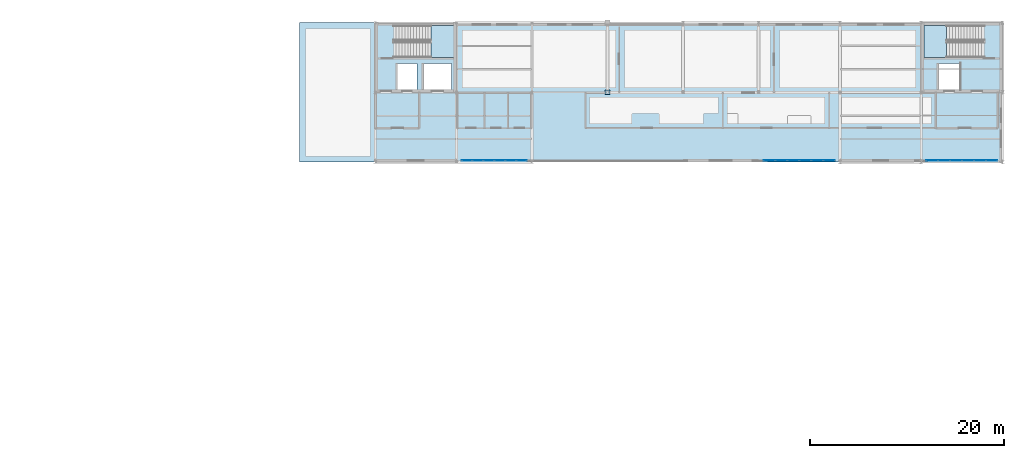
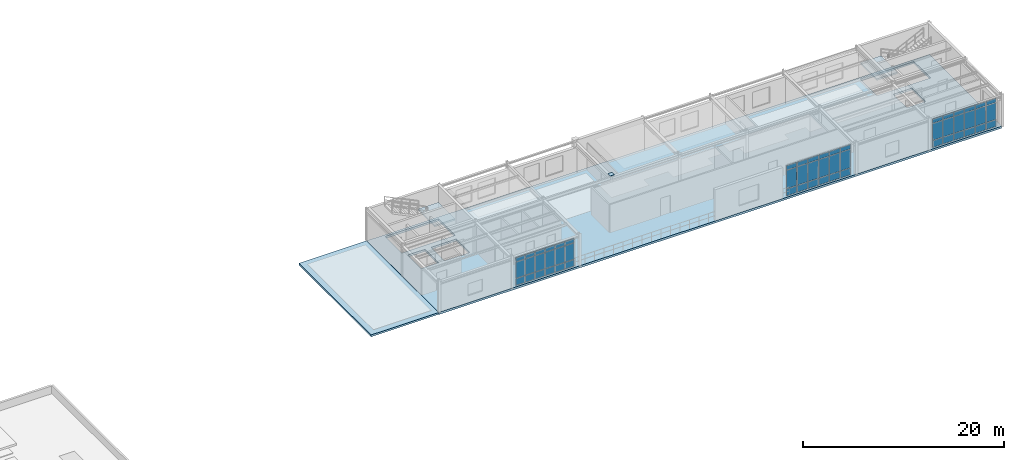
# One storey, part 10 of 20: 55 plates, 4 slabs, 5 elements without a shape of their own.
"""IFC4 building model written with IfcOpenShell, lengths in metres."""

from ifc_helpers import new_model, si_unit, derived_unit, direction, frame, origin, origin_2d, place, context, subcontext, project, spatial, polyline, rectangle, outline, extrude, material, layer, layer_set, type_object, element, aggregate, save


model = new_model("IFC4")

# Units and contexts
model_context = context("Model", 3, precision=1e-05, world=origin(), true_north=direction((0.0, 1.0)))
body_context = subcontext(model_context, "Body", "Model", "MODEL_VIEW")
ifc_project = project(units=[si_unit("LENGTHUNIT", "METRE"), si_unit("AREAUNIT", "SQUARE_METRE"), si_unit("VOLUMEUNIT", "CUBIC_METRE"), si_unit("PLANEANGLEUNIT", "RADIAN"), si_unit("MASSUNIT", "GRAM", prefix="KILO"), derived_unit("THERMALTRANSMITTANCEUNIT", [(si_unit("POWERUNIT", "WATT"), 1), (si_unit("AREAUNIT", "SQUARE_METRE"), -1), (si_unit("THERMODYNAMICTEMPERATUREUNIT", "KELVIN"), -1)])], contexts=[model_context])

# Site, building, storey
site_placement = place(None, origin())
site = spatial("IfcSite", under=ifc_project, at=site_placement, CompositionType="ELEMENT")
building_placement = place(site_placement, origin())
building = spatial("IfcBuilding", under=site, at=building_placement, Name="Yasenodar Specialist Clinic", CompositionType="ELEMENT")
storey_placement = place(building_placement, frame((0.0, 0.0, 25.35009765625)))
storey = spatial("IfcBuildingStorey", under=building, at=storey_placement, Name="L06", CompositionType="ELEMENT", Elevation=25.35009765625)

# Curtain wall, plates
ifc_material_1 = material(Name="Bronze Anodized Aluminium and Triple Low-E Glass", Category="aluminium")
ifc_layer_1 = layer(ifc_material_1, 0.215087890625)
ifc_layer_set_1 = layer_set([ifc_layer_1], Name="Bronze Anodized Aluminium and Triple Low-E Glass")
curtain_wall_type = type_object("IfcCurtainWallType", Name="CW-SYS-05", PredefinedType="USERDEFINED", material=ifc_layer_set_1)
curtain_wall_1_placement = place(storey_placement, origin())
curtain_wall_1 = element("IfcCurtainWall", 1, at=curtain_wall_1_placement, inside=storey, type_object=curtain_wall_type, Name="L06 Unitised Curtain Wall 168", ObjectType="UNITISED CURTAIN WALL", PredefinedType="USERDEFINED")
ifc_material_2 = material(Name="Triple Low-E Argon Glazing", Category="glass")
ifc_layer_2 = layer(ifc_material_2, 0.028076171875)
ifc_layer_set_2 = layer_set([ifc_layer_2], Name="Triple Low-E Argon Glazing")
plate_type_1 = type_object("IfcPlateType", Name="CW-PAN-1", PredefinedType="CURTAIN_PANEL", material=ifc_layer_set_2)
plate_1_placement = place(storey_placement, frame((120.68505859375, 97.3701171875, 0.059814453125), z_axis=(0.0, 0.0, 1.0), x_axis=(-1.0, 0.0, 0.0)))
plate_1 = element("IfcPlate", 2, at=plate_1_placement, type_object=plate_type_1, Name="CW-05 panel 1.1", PredefinedType="CURTAIN_PANEL", context=body_context, shape_type="SweptSolid", body=[
    extrude(rectangle(XDim=1.14990234375, YDim=0.028076171875, at=origin_2d()), origin(), (0.0, 0.0, 1.0), 0.81005859375),
])
plate_2_placement = place(storey_placement, frame((120.68505859375, 97.3701171875, 0.929931640625), z_axis=(0.0, 0.0, 1.0), x_axis=(-1.0, 0.0, 0.0)))
plate_2 = element("IfcPlate", 3, at=plate_2_placement, type_object=plate_type_1, Name="CW-05 panel 1.2", PredefinedType="CURTAIN_PANEL", context=body_context, shape_type="SweptSolid", body=[
    extrude(rectangle(XDim=1.14990234375, YDim=0.028076171875, at=origin_2d()), origin(), (0.0, 0.0, 1.0), 2.01806640625),
])
plate_3_placement = place(storey_placement, frame((120.68505859375, 97.3701171875, 3.0078125), z_axis=(0.0, 0.0, 1.0), x_axis=(-1.0, 0.0, 0.0)))
plate_3 = element("IfcPlate", 4, at=plate_3_placement, type_object=plate_type_1, Name="CW-05 panel 1.3", PredefinedType="CURTAIN_PANEL", context=body_context, shape_type="SweptSolid", body=[
    extrude(rectangle(XDim=1.14990234375, YDim=0.028076171875, at=origin_2d()), origin(), (0.0, 0.0, 1.0), 0.510009765625),
])
plate_4_placement = place(storey_placement, frame((119.4599609375, 97.3701171875, 0.059814453125), z_axis=(0.0, 0.0, 1.0), x_axis=(-1.0, 0.0, 0.0)))
plate_4 = element("IfcPlate", 5, at=plate_4_placement, type_object=plate_type_1, Name="CW-05 panel 2.1", PredefinedType="CURTAIN_PANEL", context=body_context, shape_type="SweptSolid", body=[
    extrude(rectangle(XDim=1.179931640625, YDim=0.028076171875, at=origin_2d()), origin(), (0.0, 0.0, 1.0), 0.81005859375),
])
plate_5_placement = place(storey_placement, frame((119.4599609375, 97.3701171875, 0.929931640625), z_axis=(0.0, 0.0, 1.0), x_axis=(-1.0, 0.0, 0.0)))
plate_5 = element("IfcPlate", 6, at=plate_5_placement, type_object=plate_type_1, Name="CW-05 panel 2.2", PredefinedType="CURTAIN_PANEL", context=body_context, shape_type="SweptSolid", body=[
    extrude(rectangle(XDim=1.179931640625, YDim=0.028076171875, at=origin_2d()), origin(), (0.0, 0.0, 1.0), 2.01806640625),
])
plate_6_placement = place(storey_placement, frame((119.4599609375, 97.3701171875, 3.0078125), z_axis=(0.0, 0.0, 1.0), x_axis=(-1.0, 0.0, 0.0)))
plate_6 = element("IfcPlate", 7, at=plate_6_placement, type_object=plate_type_1, Name="CW-05 panel 2.3", PredefinedType="CURTAIN_PANEL", context=body_context, shape_type="SweptSolid", body=[
    extrude(rectangle(XDim=1.179931640625, YDim=0.028076171875, at=origin_2d()), origin(), (0.0, 0.0, 1.0), 0.510009765625),
])
plate_7_placement = place(storey_placement, frame((118.219970703125, 97.3701171875, 0.059814453125), z_axis=(0.0, 0.0, 1.0), x_axis=(-1.0, 0.0, 0.0)))
plate_7 = element("IfcPlate", 8, at=plate_7_placement, type_object=plate_type_1, Name="CW-05 panel 3.1", PredefinedType="CURTAIN_PANEL", context=body_context, shape_type="SweptSolid", body=[
    extrude(rectangle(XDim=1.179931640625, YDim=0.028076171875, at=origin_2d()), origin(), (0.0, 0.0, 1.0), 0.81005859375),
])
plate_8_placement = place(storey_placement, frame((118.219970703125, 97.3701171875, 0.929931640625), z_axis=(0.0, 0.0, 1.0), x_axis=(-1.0, 0.0, 0.0)))
plate_8 = element("IfcPlate", 9, at=plate_8_placement, type_object=plate_type_1, Name="CW-05 panel 3.2", PredefinedType="CURTAIN_PANEL", context=body_context, shape_type="SweptSolid", body=[
    extrude(rectangle(XDim=1.179931640625, YDim=0.028076171875, at=origin_2d()), origin(), (0.0, 0.0, 1.0), 2.01806640625),
])
plate_9_placement = place(storey_placement, frame((118.219970703125, 97.3701171875, 3.0078125), z_axis=(0.0, 0.0, 1.0), x_axis=(-1.0, 0.0, 0.0)))
plate_9 = element("IfcPlate", 10, at=plate_9_placement, type_object=plate_type_1, Name="CW-05 panel 3.3", PredefinedType="CURTAIN_PANEL", context=body_context, shape_type="SweptSolid", body=[
    extrude(rectangle(XDim=1.179931640625, YDim=0.028076171875, at=origin_2d()), origin(), (0.0, 0.0, 1.0), 0.510009765625),
])
plate_10_placement = place(storey_placement, frame((116.97998046875, 97.3701171875, 0.059814453125), z_axis=(0.0, 0.0, 1.0), x_axis=(-1.0, 0.0, 0.0)))
plate_10 = element("IfcPlate", 11, at=plate_10_placement, type_object=plate_type_1, Name="CW-05 panel 4.1", PredefinedType="CURTAIN_PANEL", context=body_context, shape_type="SweptSolid", body=[
    extrude(rectangle(XDim=1.179931640625, YDim=0.028076171875, at=origin_2d()), origin(), (0.0, 0.0, 1.0), 0.81005859375),
])
plate_11_placement = place(storey_placement, frame((116.97998046875, 97.3701171875, 0.929931640625), z_axis=(0.0, 0.0, 1.0), x_axis=(-1.0, 0.0, 0.0)))
plate_11 = element("IfcPlate", 12, at=plate_11_placement, type_object=plate_type_1, Name="CW-05 panel 4.2", PredefinedType="CURTAIN_PANEL", context=body_context, shape_type="SweptSolid", body=[
    extrude(rectangle(XDim=1.179931640625, YDim=0.028076171875, at=origin_2d()), origin(), (0.0, 0.0, 1.0), 2.01806640625),
])
plate_12_placement = place(storey_placement, frame((116.97998046875, 97.3701171875, 3.0078125), z_axis=(0.0, 0.0, 1.0), x_axis=(-1.0, 0.0, 0.0)))
plate_12 = element("IfcPlate", 13, at=plate_12_placement, type_object=plate_type_1, Name="CW-05 panel 4.3", PredefinedType="CURTAIN_PANEL", context=body_context, shape_type="SweptSolid", body=[
    extrude(rectangle(XDim=1.179931640625, YDim=0.028076171875, at=origin_2d()), origin(), (0.0, 0.0, 1.0), 0.510009765625),
])
plate_13_placement = place(storey_placement, frame((115.739990234375, 97.3701171875, 0.059814453125), z_axis=(0.0, 0.0, 1.0), x_axis=(-1.0, 0.0, 0.0)))
plate_13 = element("IfcPlate", 14, at=plate_13_placement, type_object=plate_type_1, Name="CW-05 panel 5.1", PredefinedType="CURTAIN_PANEL", context=body_context, shape_type="SweptSolid", body=[
    extrude(rectangle(XDim=1.179931640625, YDim=0.028076171875, at=origin_2d()), origin(), (0.0, 0.0, 1.0), 0.81005859375),
])
plate_14_placement = place(storey_placement, frame((115.739990234375, 97.3701171875, 0.929931640625), z_axis=(0.0, 0.0, 1.0), x_axis=(-1.0, 0.0, 0.0)))
plate_14 = element("IfcPlate", 15, at=plate_14_placement, type_object=plate_type_1, Name="CW-05 panel 5.2", PredefinedType="CURTAIN_PANEL", context=body_context, shape_type="SweptSolid", body=[
    extrude(rectangle(XDim=1.179931640625, YDim=0.028076171875, at=origin_2d()), origin(), (0.0, 0.0, 1.0), 2.01806640625),
])
plate_15_placement = place(storey_placement, frame((115.739990234375, 97.3701171875, 3.0078125), z_axis=(0.0, 0.0, 1.0), x_axis=(-1.0, 0.0, 0.0)))
plate_15 = element("IfcPlate", 16, at=plate_15_placement, type_object=plate_type_1, Name="CW-05 panel 5.3", PredefinedType="CURTAIN_PANEL", context=body_context, shape_type="SweptSolid", body=[
    extrude(rectangle(XDim=1.179931640625, YDim=0.028076171875, at=origin_2d()), origin(), (0.0, 0.0, 1.0), 0.510009765625),
])
plate_16_placement = place(storey_placement, frame((114.514892578125, 97.3701171875, 0.059814453125), z_axis=(0.0, 0.0, 1.0), x_axis=(-1.0, 0.0, 0.0)))
plate_16 = element("IfcPlate", 17, at=plate_16_placement, type_object=plate_type_1, Name="CW-05 panel 6.1", PredefinedType="CURTAIN_PANEL", context=body_context, shape_type="SweptSolid", body=[
    extrude(rectangle(XDim=1.14990234375, YDim=0.028076171875, at=origin_2d()), origin(), (0.0, 0.0, 1.0), 0.81005859375),
])
plate_17_placement = place(storey_placement, frame((114.514892578125, 97.3701171875, 0.929931640625), z_axis=(0.0, 0.0, 1.0), x_axis=(-1.0, 0.0, 0.0)))
plate_17 = element("IfcPlate", 18, at=plate_17_placement, type_object=plate_type_1, Name="CW-05 panel 6.2", PredefinedType="CURTAIN_PANEL", context=body_context, shape_type="SweptSolid", body=[
    extrude(rectangle(XDim=1.14990234375, YDim=0.028076171875, at=origin_2d()), origin(), (0.0, 0.0, 1.0), 2.01806640625),
])
plate_18_placement = place(storey_placement, frame((114.514892578125, 97.3701171875, 3.0078125), z_axis=(0.0, 0.0, 1.0), x_axis=(-1.0, 0.0, 0.0)))
plate_18 = element("IfcPlate", 19, at=plate_18_placement, type_object=plate_type_1, Name="CW-05 panel 6.3", PredefinedType="CURTAIN_PANEL", context=body_context, shape_type="SweptSolid", body=[
    extrude(rectangle(XDim=1.14990234375, YDim=0.028076171875, at=origin_2d()), origin(), (0.0, 0.0, 1.0), 0.510009765625),
])
aggregate(curtain_wall_1, [plate_1, plate_2, plate_3, plate_4, plate_5, plate_6, plate_7, plate_8, plate_9, plate_10, plate_11, plate_12, plate_13, plate_14, plate_15, plate_16, plate_17, plate_18])

curtain_wall_2_placement = place(storey_placement, origin())
curtain_wall_2 = element("IfcCurtainWall", 20, at=curtain_wall_2_placement, inside=storey, type_object=curtain_wall_type, Name="L06 Unitised Curtain Wall 169", ObjectType="UNITISED CURTAIN WALL", PredefinedType="USERDEFINED")
ifc_layer_3 = layer(ifc_material_2, 0.033935546875)
ifc_layer_set_3 = layer_set([ifc_layer_3], Name="Triple Low-E Argon Glazing")
plate_type_2 = type_object("IfcPlateType", Name="CW-PAN-2", PredefinedType="CURTAIN_PANEL", material=ifc_layer_set_3)
plate_19_placement = place(storey_placement, frame((103.885009765625, 97.3701171875, 0.059814453125), z_axis=(0.0, 0.0, 1.0), x_axis=(-1.0, 0.0, 0.0)))
plate_19 = element("IfcPlate", 21, at=plate_19_placement, type_object=plate_type_2, Name="CW-05 panel 1.1", PredefinedType="CURTAIN_PANEL", context=body_context, shape_type="SweptSolid", body=[
    extrude(rectangle(XDim=1.14990234375, YDim=0.033935546875, at=origin_2d()), origin(), (0.0, 0.0, 1.0), 0.81005859375),
])
plate_20_placement = place(storey_placement, frame((103.885009765625, 97.3701171875, 0.9296875), z_axis=(0.0, 0.0, 1.0), x_axis=(-1.0, 0.0, 0.0)))
plate_20 = element("IfcPlate", 22, at=plate_20_placement, type_object=plate_type_2, Name="CW-05 panel 1.2", PredefinedType="CURTAIN_PANEL", context=body_context, shape_type="SweptSolid", body=[
    extrude(rectangle(XDim=1.14990234375, YDim=0.033935546875, at=origin_2d()), origin(), (0.0, 0.0, 1.0), 2.219970703125),
])
plate_21_placement = place(storey_placement, frame((103.885009765625, 97.3701171875, 3.2099609375), z_axis=(0.0, 0.0, 1.0), x_axis=(-1.0, 0.0, 0.0)))
plate_21 = element("IfcPlate", 23, at=plate_21_placement, type_object=plate_type_2, Name="CW-05 panel 1.3", PredefinedType="CURTAIN_PANEL", context=body_context, shape_type="SweptSolid", body=[
    extrude(rectangle(XDim=1.14990234375, YDim=0.033935546875, at=origin_2d()), origin(), (0.0, 0.0, 1.0), 0.510009765625),
])
plate_22_placement = place(storey_placement, frame((102.659912109375, 97.3701171875, 0.059814453125), z_axis=(0.0, 0.0, 1.0), x_axis=(-1.0, 0.0, 0.0)))
plate_22 = element("IfcPlate", 24, at=plate_22_placement, type_object=plate_type_2, Name="CW-05 panel 2.1", PredefinedType="CURTAIN_PANEL", context=body_context, shape_type="SweptSolid", body=[
    extrude(rectangle(XDim=1.179931640625, YDim=0.033935546875, at=origin_2d()), origin(), (0.0, 0.0, 1.0), 0.81005859375),
])
plate_23_placement = place(storey_placement, frame((102.659912109375, 97.3701171875, 0.9296875), z_axis=(0.0, 0.0, 1.0), x_axis=(-1.0, 0.0, 0.0)))
plate_23 = element("IfcPlate", 25, at=plate_23_placement, type_object=plate_type_2, Name="CW-05 panel 2.2", PredefinedType="CURTAIN_PANEL", context=body_context, shape_type="SweptSolid", body=[
    extrude(rectangle(XDim=1.179931640625, YDim=0.033935546875, at=origin_2d()), origin(), (0.0, 0.0, 1.0), 2.219970703125),
])
plate_24_placement = place(storey_placement, frame((102.659912109375, 97.3701171875, 3.2099609375), z_axis=(0.0, 0.0, 1.0), x_axis=(-1.0, 0.0, 0.0)))
plate_24 = element("IfcPlate", 26, at=plate_24_placement, type_object=plate_type_2, Name="CW-05 panel 2.3", PredefinedType="CURTAIN_PANEL", context=body_context, shape_type="SweptSolid", body=[
    extrude(rectangle(XDim=1.179931640625, YDim=0.033935546875, at=origin_2d()), origin(), (0.0, 0.0, 1.0), 0.510009765625),
])
plate_25_placement = place(storey_placement, frame((101.419921875, 97.3701171875, 0.059814453125), z_axis=(0.0, 0.0, 1.0), x_axis=(-1.0, 0.0, 0.0)))
plate_25 = element("IfcPlate", 27, at=plate_25_placement, type_object=plate_type_2, Name="CW-05 panel 3.1", PredefinedType="CURTAIN_PANEL", context=body_context, shape_type="SweptSolid", body=[
    extrude(rectangle(XDim=1.179931640625, YDim=0.033935546875, at=origin_2d()), origin(), (0.0, 0.0, 1.0), 0.81005859375),
])
plate_26_placement = place(storey_placement, frame((101.419921875, 97.3701171875, 0.9296875), z_axis=(0.0, 0.0, 1.0), x_axis=(-1.0, 0.0, 0.0)))
plate_26 = element("IfcPlate", 28, at=plate_26_placement, type_object=plate_type_2, Name="CW-05 panel 3.2", PredefinedType="CURTAIN_PANEL", context=body_context, shape_type="SweptSolid", body=[
    extrude(rectangle(XDim=1.179931640625, YDim=0.033935546875, at=origin_2d()), origin(), (0.0, 0.0, 1.0), 2.219970703125),
])
plate_27_placement = place(storey_placement, frame((101.419921875, 97.3701171875, 3.2099609375), z_axis=(0.0, 0.0, 1.0), x_axis=(-1.0, 0.0, 0.0)))
plate_27 = element("IfcPlate", 29, at=plate_27_placement, type_object=plate_type_2, Name="CW-05 panel 3.3", PredefinedType="CURTAIN_PANEL", context=body_context, shape_type="SweptSolid", body=[
    extrude(rectangle(XDim=1.179931640625, YDim=0.033935546875, at=origin_2d()), origin(), (0.0, 0.0, 1.0), 0.510009765625),
])
plate_28_placement = place(storey_placement, frame((100.179931640625, 97.3701171875, 0.059814453125), z_axis=(0.0, 0.0, 1.0), x_axis=(-1.0, 0.0, 0.0)))
plate_28 = element("IfcPlate", 30, at=plate_28_placement, type_object=plate_type_2, Name="CW-05 panel 4.1", PredefinedType="CURTAIN_PANEL", context=body_context, shape_type="SweptSolid", body=[
    extrude(rectangle(XDim=1.179931640625, YDim=0.033935546875, at=origin_2d()), origin(), (0.0, 0.0, 1.0), 0.81005859375),
])
plate_29_placement = place(storey_placement, frame((100.179931640625, 97.3701171875, 0.9296875), z_axis=(0.0, 0.0, 1.0), x_axis=(-1.0, 0.0, 0.0)))
plate_29 = element("IfcPlate", 31, at=plate_29_placement, type_object=plate_type_2, Name="CW-05 panel 4.2", PredefinedType="CURTAIN_PANEL", context=body_context, shape_type="SweptSolid", body=[
    extrude(rectangle(XDim=1.179931640625, YDim=0.033935546875, at=origin_2d()), origin(), (0.0, 0.0, 1.0), 2.219970703125),
])
plate_30_placement = place(storey_placement, frame((100.179931640625, 97.3701171875, 3.2099609375), z_axis=(0.0, 0.0, 1.0), x_axis=(-1.0, 0.0, 0.0)))
plate_30 = element("IfcPlate", 32, at=plate_30_placement, type_object=plate_type_2, Name="CW-05 panel 4.3", PredefinedType="CURTAIN_PANEL", context=body_context, shape_type="SweptSolid", body=[
    extrude(rectangle(XDim=1.179931640625, YDim=0.033935546875, at=origin_2d()), origin(), (0.0, 0.0, 1.0), 0.510009765625),
])
plate_31_placement = place(storey_placement, frame((98.93994140625, 97.3701171875, 0.059814453125), z_axis=(0.0, 0.0, 1.0), x_axis=(-1.0, 0.0, 0.0)))
plate_31 = element("IfcPlate", 33, at=plate_31_placement, type_object=plate_type_2, Name="CW-05 panel 5.1", PredefinedType="CURTAIN_PANEL", context=body_context, shape_type="SweptSolid", body=[
    extrude(rectangle(XDim=1.179931640625, YDim=0.033935546875, at=origin_2d()), origin(), (0.0, 0.0, 1.0), 0.81005859375),
])
plate_32_placement = place(storey_placement, frame((98.93994140625, 97.3701171875, 0.9296875), z_axis=(0.0, 0.0, 1.0), x_axis=(-1.0, 0.0, 0.0)))
plate_32 = element("IfcPlate", 34, at=plate_32_placement, type_object=plate_type_2, Name="CW-05 panel 5.2", PredefinedType="CURTAIN_PANEL", context=body_context, shape_type="SweptSolid", body=[
    extrude(rectangle(XDim=1.179931640625, YDim=0.033935546875, at=origin_2d()), origin(), (0.0, 0.0, 1.0), 2.219970703125),
])
plate_33_placement = place(storey_placement, frame((98.93994140625, 97.3701171875, 3.2099609375), z_axis=(0.0, 0.0, 1.0), x_axis=(-1.0, 0.0, 0.0)))
plate_33 = element("IfcPlate", 35, at=plate_33_placement, type_object=plate_type_2, Name="CW-05 panel 5.3", PredefinedType="CURTAIN_PANEL", context=body_context, shape_type="SweptSolid", body=[
    extrude(rectangle(XDim=1.179931640625, YDim=0.033935546875, at=origin_2d()), origin(), (0.0, 0.0, 1.0), 0.510009765625),
])
plate_34_placement = place(storey_placement, frame((97.715087890625, 97.3701171875, 0.059814453125), z_axis=(0.0, 0.0, 1.0), x_axis=(-1.0, 0.0, 0.0)))
plate_34 = element("IfcPlate", 36, at=plate_34_placement, type_object=plate_type_2, Name="CW-05 panel 6.1", PredefinedType="CURTAIN_PANEL", context=body_context, shape_type="SweptSolid", body=[
    extrude(rectangle(XDim=1.14990234375, YDim=0.033935546875, at=origin_2d()), origin(), (0.0, 0.0, 1.0), 0.81005859375),
])
plate_35_placement = place(storey_placement, frame((97.715087890625, 97.3701171875, 0.9296875), z_axis=(0.0, 0.0, 1.0), x_axis=(-1.0, 0.0, 0.0)))
plate_35 = element("IfcPlate", 37, at=plate_35_placement, type_object=plate_type_2, Name="CW-05 panel 6.2", PredefinedType="CURTAIN_PANEL", context=body_context, shape_type="SweptSolid", body=[
    extrude(rectangle(XDim=1.14990234375, YDim=0.033935546875, at=origin_2d()), origin(), (0.0, 0.0, 1.0), 2.219970703125),
])
plate_36_placement = place(storey_placement, frame((97.715087890625, 97.3701171875, 3.2099609375), z_axis=(0.0, 0.0, 1.0), x_axis=(-1.0, 0.0, 0.0)))
plate_36 = element("IfcPlate", 38, at=plate_36_placement, type_object=plate_type_2, Name="CW-05 panel 6.3", PredefinedType="CURTAIN_PANEL", context=body_context, shape_type="SweptSolid", body=[
    extrude(rectangle(XDim=1.14990234375, YDim=0.033935546875, at=origin_2d()), origin(), (0.0, 0.0, 1.0), 0.510009765625),
])
aggregate(curtain_wall_2, [plate_19, plate_20, plate_21, plate_22, plate_23, plate_24, plate_25, plate_26, plate_27, plate_28, plate_29, plate_30, plate_31, plate_32, plate_33, plate_34, plate_35, plate_36])

curtain_wall_3_placement = place(storey_placement, origin())
curtain_wall_3 = element("IfcCurtainWall", 39, at=curtain_wall_3_placement, inside=storey, type_object=curtain_wall_type, Name="L06 Unitised Curtain Wall 170", ObjectType="UNITISED CURTAIN WALL", PredefinedType="USERDEFINED")
ifc_layer_4 = layer(ifc_material_2, 0.0400390625)
ifc_layer_set_4 = layer_set([ifc_layer_4], Name="Triple Low-E Argon Glazing")
plate_type_3 = type_object("IfcPlateType", Name="CW-PAN-3", PredefinedType="CURTAIN_PANEL", material=ifc_layer_set_4)
plate_37_placement = place(storey_placement, frame((72.13134765625, 97.3701171875, 0.074951171875), z_axis=(0.0, 0.0, 1.0), x_axis=(-1.0, 0.0, 0.0)))
plate_37 = element("IfcPlate", 40, at=plate_37_placement, type_object=plate_type_3, Name="CW-05 panel 1.1", PredefinedType="CURTAIN_PANEL", context=body_context, shape_type="SweptSolid", body=[
    extrude(rectangle(XDim=1.027587890625, YDim=0.0400390625, at=origin_2d()), origin(), (0.0, 0.0, 1.0), 0.78759765625),
])
plate_38_placement = place(storey_placement, frame((72.13134765625, 97.3701171875, 0.9375), z_axis=(0.0, 0.0, 1.0), x_axis=(-1.0, 0.0, 0.0)))
plate_38 = element("IfcPlate", 41, at=plate_38_placement, type_object=plate_type_3, Name="CW-05 panel 1.2", PredefinedType="CURTAIN_PANEL", context=body_context, shape_type="SweptSolid", body=[
    extrude(rectangle(XDim=1.027587890625, YDim=0.0400390625, at=origin_2d()), origin(), (0.0, 0.0, 1.0), 1.943115234375),
])
plate_39_placement = place(storey_placement, frame((72.13134765625, 97.3701171875, 2.95556640625), z_axis=(0.0, 0.0, 1.0), x_axis=(-1.0, 0.0, 0.0)))
plate_39 = element("IfcPlate", 42, at=plate_39_placement, type_object=plate_type_3, Name="CW-05 panel 1.3", PredefinedType="CURTAIN_PANEL", context=body_context, shape_type="SweptSolid", body=[
    extrude(rectangle(XDim=1.027587890625, YDim=0.0400390625, at=origin_2d()), origin(), (0.0, 0.0, 1.0), 0.487548828125),
])
plate_40_placement = place(storey_placement, frame((71.010009765625, 97.3701171875, 0.074951171875), z_axis=(0.0, 0.0, 1.0), x_axis=(-1.0, 0.0, 0.0)))
plate_40 = element("IfcPlate", 43, at=plate_40_placement, type_object=plate_type_3, Name="CW-05 panel 2.1", PredefinedType="CURTAIN_PANEL", context=body_context, shape_type="SweptSolid", body=[
    extrude(rectangle(XDim=1.06494140625, YDim=0.0400390625, at=origin_2d()), origin(), (0.0, 0.0, 1.0), 0.78759765625),
])
plate_41_placement = place(storey_placement, frame((71.010009765625, 97.3701171875, 0.9375), z_axis=(0.0, 0.0, 1.0), x_axis=(-1.0, 0.0, 0.0)))
plate_41 = element("IfcPlate", 44, at=plate_41_placement, type_object=plate_type_3, Name="CW-05 panel 2.2", PredefinedType="CURTAIN_PANEL", context=body_context, shape_type="SweptSolid", body=[
    extrude(rectangle(XDim=1.06494140625, YDim=0.0400390625, at=origin_2d()), origin(), (0.0, 0.0, 1.0), 1.943115234375),
])
plate_42_placement = place(storey_placement, frame((71.010009765625, 97.3701171875, 2.95556640625), z_axis=(0.0, 0.0, 1.0), x_axis=(-1.0, 0.0, 0.0)))
plate_42 = element("IfcPlate", 45, at=plate_42_placement, type_object=plate_type_3, Name="CW-05 panel 2.3", PredefinedType="CURTAIN_PANEL", context=body_context, shape_type="SweptSolid", body=[
    extrude(rectangle(XDim=1.06494140625, YDim=0.0400390625, at=origin_2d()), origin(), (0.0, 0.0, 1.0), 0.487548828125),
])
plate_43_placement = place(storey_placement, frame((69.8701171875, 97.3701171875, 0.074951171875), z_axis=(0.0, 0.0, 1.0), x_axis=(-1.0, 0.0, 0.0)))
plate_43 = element("IfcPlate", 46, at=plate_43_placement, type_object=plate_type_3, Name="CW-05 panel 3.1", PredefinedType="CURTAIN_PANEL", context=body_context, shape_type="SweptSolid", body=[
    extrude(rectangle(XDim=1.06494140625, YDim=0.0400390625, at=origin_2d()), origin(), (0.0, 0.0, 1.0), 0.78759765625),
])
plate_44_placement = place(storey_placement, frame((69.8701171875, 97.3701171875, 0.9375), z_axis=(0.0, 0.0, 1.0), x_axis=(-1.0, 0.0, 0.0)))
plate_44 = element("IfcPlate", 47, at=plate_44_placement, type_object=plate_type_3, Name="CW-05 panel 3.2", PredefinedType="CURTAIN_PANEL", context=body_context, shape_type="SweptSolid", body=[
    extrude(rectangle(XDim=1.06494140625, YDim=0.0400390625, at=origin_2d()), origin(), (0.0, 0.0, 1.0), 1.943115234375),
])
plate_45_placement = place(storey_placement, frame((69.8701171875, 97.3701171875, 2.95556640625), z_axis=(0.0, 0.0, 1.0), x_axis=(-1.0, 0.0, 0.0)))
plate_45 = element("IfcPlate", 48, at=plate_45_placement, type_object=plate_type_3, Name="CW-05 panel 3.3", PredefinedType="CURTAIN_PANEL", context=body_context, shape_type="SweptSolid", body=[
    extrude(rectangle(XDim=1.06494140625, YDim=0.0400390625, at=origin_2d()), origin(), (0.0, 0.0, 1.0), 0.487548828125),
])
plate_46_placement = place(storey_placement, frame((68.72998046875, 97.3701171875, 0.074951171875), z_axis=(0.0, 0.0, 1.0), x_axis=(-1.0, 0.0, 0.0)))
plate_46 = element("IfcPlate", 49, at=plate_46_placement, type_object=plate_type_3, Name="CW-05 panel 4.1", PredefinedType="CURTAIN_PANEL", context=body_context, shape_type="SweptSolid", body=[
    extrude(rectangle(XDim=1.06494140625, YDim=0.0400390625, at=origin_2d()), origin(), (0.0, 0.0, 1.0), 0.78759765625),
])
plate_47_placement = place(storey_placement, frame((68.72998046875, 97.3701171875, 0.9375), z_axis=(0.0, 0.0, 1.0), x_axis=(-1.0, 0.0, 0.0)))
plate_47 = element("IfcPlate", 50, at=plate_47_placement, type_object=plate_type_3, Name="CW-05 panel 4.2", PredefinedType="CURTAIN_PANEL", context=body_context, shape_type="SweptSolid", body=[
    extrude(rectangle(XDim=1.06494140625, YDim=0.0400390625, at=origin_2d()), origin(), (0.0, 0.0, 1.0), 1.943115234375),
])
plate_48_placement = place(storey_placement, frame((68.72998046875, 97.3701171875, 2.95556640625), z_axis=(0.0, 0.0, 1.0), x_axis=(-1.0, 0.0, 0.0)))
plate_48 = element("IfcPlate", 51, at=plate_48_placement, type_object=plate_type_3, Name="CW-05 panel 4.3", PredefinedType="CURTAIN_PANEL", context=body_context, shape_type="SweptSolid", body=[
    extrude(rectangle(XDim=1.06494140625, YDim=0.0400390625, at=origin_2d()), origin(), (0.0, 0.0, 1.0), 0.487548828125),
])
plate_49_placement = place(storey_placement, frame((67.590087890625, 97.3701171875, 0.074951171875), z_axis=(0.0, 0.0, 1.0), x_axis=(-1.0, 0.0, 0.0)))
plate_49 = element("IfcPlate", 52, at=plate_49_placement, type_object=plate_type_3, Name="CW-05 panel 5.1", PredefinedType="CURTAIN_PANEL", context=body_context, shape_type="SweptSolid", body=[
    extrude(rectangle(XDim=1.06494140625, YDim=0.0400390625, at=origin_2d()), origin(), (0.0, 0.0, 1.0), 0.78759765625),
])
plate_50_placement = place(storey_placement, frame((67.590087890625, 97.3701171875, 0.9375), z_axis=(0.0, 0.0, 1.0), x_axis=(-1.0, 0.0, 0.0)))
plate_50 = element("IfcPlate", 53, at=plate_50_placement, type_object=plate_type_3, Name="CW-05 panel 5.2", PredefinedType="CURTAIN_PANEL", context=body_context, shape_type="SweptSolid", body=[
    extrude(rectangle(XDim=1.06494140625, YDim=0.0400390625, at=origin_2d()), origin(), (0.0, 0.0, 1.0), 1.943115234375),
])
plate_51_placement = place(storey_placement, frame((67.590087890625, 97.3701171875, 2.95556640625), z_axis=(0.0, 0.0, 1.0), x_axis=(-1.0, 0.0, 0.0)))
plate_51 = element("IfcPlate", 54, at=plate_51_placement, type_object=plate_type_3, Name="CW-05 panel 5.3", PredefinedType="CURTAIN_PANEL", context=body_context, shape_type="SweptSolid", body=[
    extrude(rectangle(XDim=1.06494140625, YDim=0.0400390625, at=origin_2d()), origin(), (0.0, 0.0, 1.0), 0.487548828125),
])
plate_52_placement = place(storey_placement, frame((66.46875, 97.3701171875, 0.074951171875), z_axis=(0.0, 0.0, 1.0), x_axis=(-1.0, 0.0, 0.0)))
plate_52 = element("IfcPlate", 55, at=plate_52_placement, type_object=plate_type_3, Name="CW-05 panel 6.1", PredefinedType="CURTAIN_PANEL", context=body_context, shape_type="SweptSolid", body=[
    extrude(rectangle(XDim=1.027587890625, YDim=0.0400390625, at=origin_2d()), origin(), (0.0, 0.0, 1.0), 0.78759765625),
])
plate_53_placement = place(storey_placement, frame((66.46875, 97.3701171875, 0.9375), z_axis=(0.0, 0.0, 1.0), x_axis=(-1.0, 0.0, 0.0)))
plate_53 = element("IfcPlate", 56, at=plate_53_placement, type_object=plate_type_3, Name="CW-05 panel 6.2", PredefinedType="CURTAIN_PANEL", context=body_context, shape_type="SweptSolid", body=[
    extrude(rectangle(XDim=1.027587890625, YDim=0.0400390625, at=origin_2d()), origin(), (0.0, 0.0, 1.0), 1.943115234375),
])
plate_54_placement = place(storey_placement, frame((66.46875, 97.3701171875, 2.95556640625), z_axis=(0.0, 0.0, 1.0), x_axis=(-1.0, 0.0, 0.0)))
plate_54 = element("IfcPlate", 57, at=plate_54_placement, type_object=plate_type_3, Name="CW-05 panel 6.3", PredefinedType="CURTAIN_PANEL", context=body_context, shape_type="SweptSolid", body=[
    extrude(rectangle(XDim=1.027587890625, YDim=0.0400390625, at=origin_2d()), origin(), (0.0, 0.0, 1.0), 0.487548828125),
])
aggregate(curtain_wall_3, [plate_37, plate_38, plate_39, plate_40, plate_41, plate_42, plate_43, plate_44, plate_45, plate_46, plate_47, plate_48, plate_49, plate_50, plate_51, plate_52, plate_53, plate_54])

# Plate
ifc_material_3 = material(Name="Steel S355", Category="steel")
ifc_layer_5 = layer(ifc_material_3, 0.028076171875)
ifc_layer_set_5 = layer_set([ifc_layer_5], Name="Steel S355")
plate_type_4 = type_object("IfcPlateType", Name="PL-STEEL-06", PredefinedType="USERDEFINED", material=ifc_layer_set_5)
plate_55_placement = place(storey_placement, frame((81.0, 104.39990234375, 4.0498046875), z_axis=(0.0, 0.0, 1.0), x_axis=(1.0, 0.0, 0.0)))
element("IfcPlate", 58, at=plate_55_placement, inside=storey, type_object=plate_type_4, Name="L06 Hollow Column Top Cap Plate 014", ObjectType="CAP_PLATE", PredefinedType="USERDEFINED", context=body_context, shape_type="SweptSolid", body=[
    extrude(rectangle(XDim=0.47998046875, YDim=0.47998046875, at=origin_2d()), origin(), (0.0, 0.0, 1.0), 0.028076171875),
])

# Slab
ifc_material_4 = material(Name="Concrete C30/37", Category="concrete")
ifc_layer_6 = layer(ifc_material_4, 0.25)
ifc_layer_set_6 = layer_set([ifc_layer_6], Name="Concrete C30/37")
slab_type_1 = type_object("IfcSlabType", Name="SLB-FLR-250", PredefinedType="FLOOR", material=ifc_layer_set_6)
slab_1_placement = place(storey_placement, frame((0.0, 0.0, -0.25)))
element("IfcSlab", 59, at=slab_1_placement, inside=storey, type_object=slab_type_1, Name="L06 V5 structural slab", PredefinedType="FLOOR", context=body_context, shape_type="SweptSolid", body=[
    extrude(outline(polyline([(57.0, 97.199951171875), (121.800048828125, 97.199951171875), (121.800048828125, 111.60009765625), (57.0, 111.60009765625), (57.0, 97.199951171875)]), holes=[polyline([(58.9599609375, 108.010009765625), (65.1201171875, 108.010009765625), (65.1201171875, 111.31005859375), (58.9599609375, 111.31005859375), (58.9599609375, 108.010009765625)]), polyline([(113.679931640625, 108.010009765625), (119.840087890625, 108.010009765625), (119.840087890625, 111.31005859375), (113.679931640625, 111.31005859375), (113.679931640625, 108.010009765625)]), polyline([(59.300048828125, 104.699951171875), (61.300048828125, 104.699951171875), (61.300048828125, 107.39990234375), (59.300048828125, 107.39990234375), (59.300048828125, 104.699951171875)]), polyline([(62.0, 104.699951171875), (64.89990234375, 104.699951171875), (64.89990234375, 107.39990234375), (62.0, 107.39990234375), (62.0, 104.699951171875)]), polyline([(115.199951171875, 104.699951171875), (117.39990234375, 104.699951171875), (117.39990234375, 107.39990234375), (115.199951171875, 107.39990234375), (115.199951171875, 104.699951171875)])]), origin(), (0.0, 0.0, 1.0), 0.25),
])

# Stair, slab
stair_type = type_object("IfcStairType", Name="ST-DOG-C4-28", PredefinedType="HALF_TURN_STAIR", material=ifc_material_4)
stair_1_placement = place(storey_placement, origin())
stair_1 = element("IfcStair", 60, at=stair_1_placement, inside=storey, type_object=stair_type, Name="L06 Core C4 Exit Stair ST-04", PredefinedType="HALF_TURN_STAIR")
ifc_layer_7 = layer(ifc_material_4, 0.199951171875)
ifc_layer_set_7 = layer_set([ifc_layer_7], Name="Concrete C30/37")
slab_type_2 = type_object("IfcSlabType", Name="SLB-LND-200", PredefinedType="LANDING", material=ifc_layer_set_7)
slab_2_placement = place(storey_placement, frame((0.0, 0.0, 1.824951171875)))
slab_2 = element("IfcSlab", 61, at=slab_2_placement, type_object=slab_type_2, Name="ST-04 landing 1", PredefinedType="LANDING", context=body_context, shape_type="SweptSolid", body=[
    extrude(outline(polyline([(62.77001953125, 108.010009765625), (65.1201171875, 108.010009765625), (65.1201171875, 111.31005859375), (62.77001953125, 111.31005859375), (62.77001953125, 108.010009765625)])), origin(), (0.0, 0.0, 1.0), 0.199951171875),
])
aggregate(stair_1, [slab_2])

stair_2_placement = place(storey_placement, origin())
stair_2 = element("IfcStair", 62, at=stair_2_placement, inside=storey, type_object=stair_type, Name="L06 Core C5 Exit Stair ST-05", PredefinedType="HALF_TURN_STAIR")
slab_3_placement = place(storey_placement, frame((0.0, 0.0, 1.824951171875)))
slab_3 = element("IfcSlab", 63, at=slab_3_placement, type_object=slab_type_2, Name="ST-05 landing 1", PredefinedType="LANDING", context=body_context, shape_type="SweptSolid", body=[
    extrude(outline(polyline([(116.030029296875, 111.31005859375), (113.679931640625, 111.31005859375), (113.679931640625, 108.010009765625), (116.030029296875, 108.010009765625), (116.030029296875, 111.31005859375)])), origin(), (0.0, 0.0, 1.0), 0.199951171875),
])
aggregate(stair_2, [slab_3])

# Slab
ifc_layer_8 = layer(ifc_material_4, 0.22509765625)
ifc_layer_set_8 = layer_set([ifc_layer_8], Name="Concrete C30/37")
slab_type_3 = type_object("IfcSlabType", Name="SLB-ROOF-225", PredefinedType="ROOF", material=ifc_layer_set_8)
slab_4_placement = place(storey_placement, frame((0.0, 0.0, -0.22509765625)))
element("IfcSlab", 64, at=slab_4_placement, inside=storey, type_object=slab_type_3, Name="V5 West Shoulder Roof Slab", PredefinedType="ROOF", context=body_context, shape_type="SweptSolid", body=[
    extrude(outline(polyline([(49.199951171875, 97.199951171875), (49.199951171875, 111.60009765625), (56.985107421875, 111.60009765625), (56.985107421875, 97.199951171875), (49.199951171875, 97.199951171875)])), origin(), (0.0, 0.0, 1.0), 0.22509765625),
])

save(model, "model.ifc")
